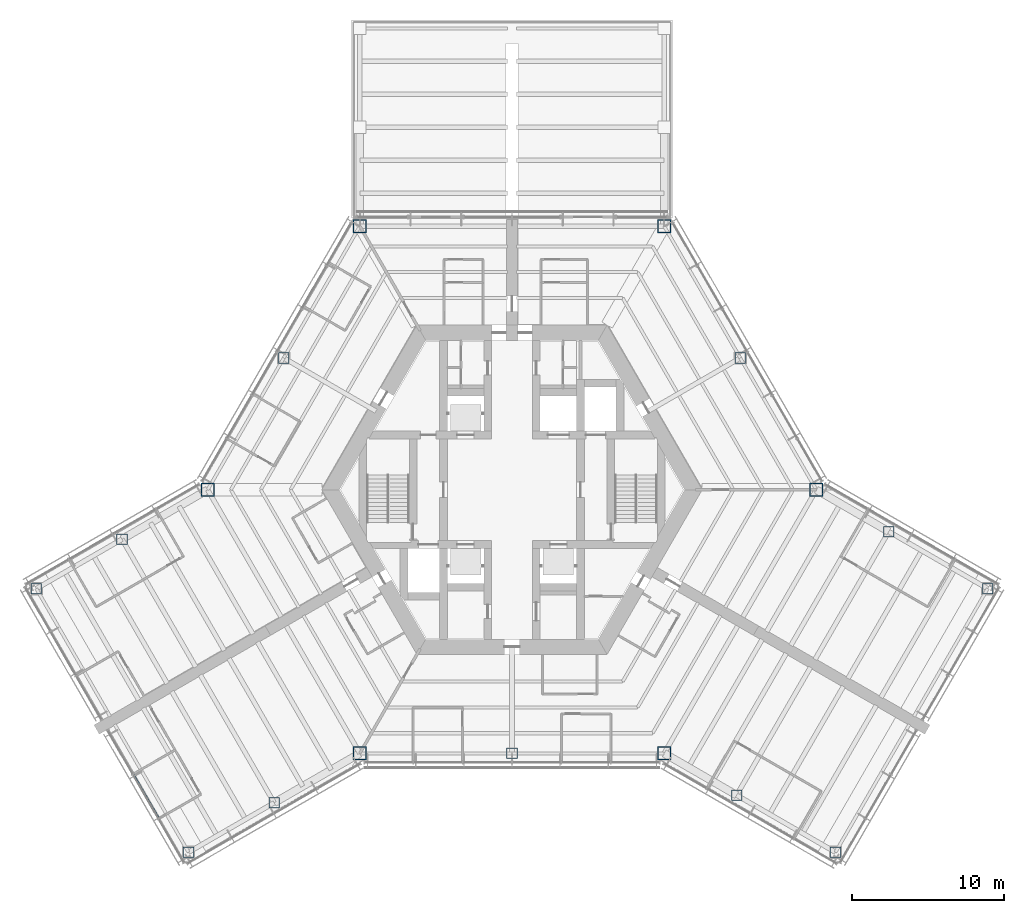
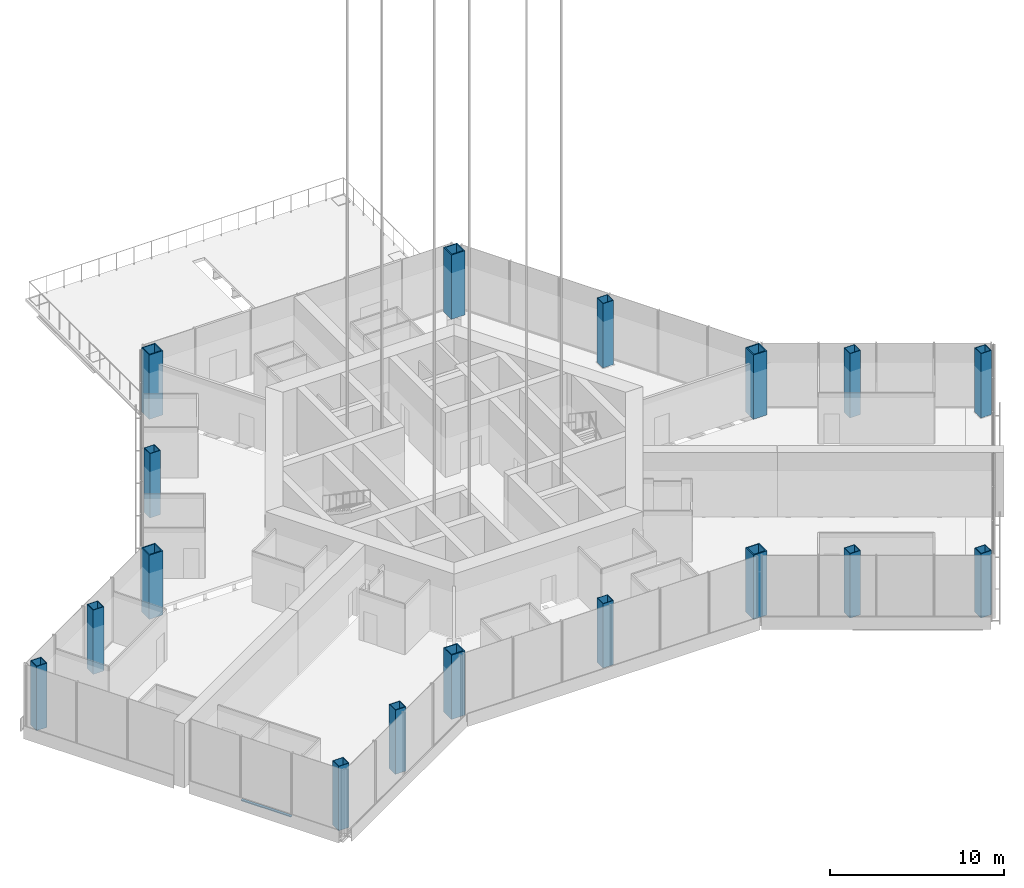
# One storey, part 1 of 18: 17 columns, 1 member, 1 element without a shape of its own.
"""IFC4 building model written with IfcOpenShell, lengths in metres."""

from ifc_helpers import new_model, si_unit, direction, frame, origin, origin_2d, place, context, subcontext, project, spatial, rectangle, hollow_rectangle, extrude, material, material_profile, profile_set, type_object, element, aggregate, save


model = new_model("IFC4")

# Units and contexts
model_context = context("Model", 3, precision=1e-05, world=origin(), true_north=direction((0.0, 1.0)))
body_context = subcontext(model_context, "Body", "Model", "MODEL_VIEW")
ifc_project = project(units=[si_unit("LENGTHUNIT", "METRE"), si_unit("AREAUNIT", "SQUARE_METRE"), si_unit("VOLUMEUNIT", "CUBIC_METRE"), si_unit("PLANEANGLEUNIT", "RADIAN"), si_unit("MASSUNIT", "GRAM", prefix="KILO")], contexts=[model_context])

# Site, building, storey
site_placement = place(None, origin())
site = spatial("IfcSite", under=ifc_project, at=site_placement, CompositionType="ELEMENT")
building_placement = place(site_placement, origin())
building = spatial("IfcBuilding", under=site, at=building_placement, Name="Kasaneha Research Tower", CompositionType="ELEMENT")
storey_placement = place(building_placement, frame((0.0, 0.0, 128.60009765625)))
storey = spatial("IfcBuildingStorey", under=building, at=storey_placement, Name="L32", CompositionType="ELEMENT", Elevation=128.60009765625)

# Columns
ifc_material_1 = material(Name="Steel SN490C", Category="steel")
ifc_material_profile_1 = material_profile(ifc_material_1, hollow_rectangle(XDim=0.699951171875, YDim=0.699951171875, WallThickness=0.035888671875, at=origin_2d()), Name="BOX-700x700x36")
ifc_profile_set_1 = profile_set([ifc_material_profile_1], Name="Steel SN490C")
column_type_1 = type_object("IfcColumnType", Name="C3B column BOX-700x700x36", PredefinedType="COLUMN", material=ifc_profile_set_1)
for number, where, z_axis, x_axis, name in (
    (1, (15.0, 8.66015625, 0.0), (0.0, 0.0, 1.0), (1.0, 0.0, 0.0), "Column M030 L32"),
    (2, (-15.0, 8.66015625, 0.0), (0.0, 0.0, 1.0), (1.0, 0.0, 0.0), "Column M150 L32"),
    (3, (0.0, -17.320556640625, 0.0), (0.0, 0.0, 1.0), (1.0, 0.0, 0.0), "Column M270 L32"),
    (4, (-25.629150390625, -3.25, 0.0), (0.0, 0.0, 1.0), (1.0, 0.0, 0.0), "Column BSP L32"),
    (5, (-31.25830078125, -6.5, 0.0), (0.0, 0.0, 1.0), (1.0, 0.0, 0.0), "Column BTP L32"),
    (6, (-15.629150390625, -20.570556640625, 0.0), (0.0, 0.0, 1.0), (1.0, 0.0, 0.0), "Column BSN L32"),
    (7, (-21.25830078125, -23.820556640625, 0.0), (0.0, 0.0, 1.0), (1.0, 0.0, 0.0), "Column BTN L32"),
    (8, (14.76318359375, -20.070556640625, 0.0), (0.0, 0.0, 1.0), (1.0, 0.0, 0.0), "Column CSP L32"),
    (9, (21.25830078125, -23.820556640625, 0.0), (0.0, 0.0, 1.0), (1.0, 0.0, 0.0), "Column CTP L32"),
    (10, (24.76318359375, -2.75, 0.0), (0.0, 0.0, 1.0), (1.0, 0.0, 0.0), "Column CSN L32"),
    (11, (31.25830078125, -6.5, 0.0), (0.0, 0.0, 1.0), (1.0, 0.0, 0.0), "Column CTN L32"),
):
    element("IfcColumn", number, at=place(storey_placement, frame(where, z_axis=z_axis, x_axis=x_axis)), inside=storey, type_object=column_type_1, Name=name, PredefinedType="COLUMN", context=body_context, shape_type="SweptSolid", body=[
        extrude(hollow_rectangle(XDim=0.699951171875, YDim=0.699951171875, WallThickness=0.035888671875, at=origin_2d()), origin(), (0.0, 0.0, 1.0), 4.5),
    ])
ifc_material_2 = material(Name="Steel SN490C", Category="steel")
ifc_material_profile_2 = material_profile(ifc_material_2, hollow_rectangle(XDim=0.89990234375, YDim=0.89990234375, WallThickness=0.070068359375, at=origin_2d()), Name="BOX-900x900x70")
ifc_profile_set_2 = profile_set([ifc_material_profile_2], Name="Steel SN490C")
column_type_2 = type_object("IfcColumnType", Name="CT1 column BOX-900x900x70", PredefinedType="COLUMN", material=ifc_profile_set_2)
for number, where, z_axis, x_axis, name in (
    (12, (20.0, 0.0, 0.0), (0.0, 0.0, 1.0), (1.0, 0.0, 0.0), "Column V0 L32"),
    (13, (10.0, 17.320556640625, 0.0), (0.0, 0.0, 1.0), (1.0, 0.0, 0.0), "Column V1 L32"),
    (14, (-10.0, 17.320556640625, 0.0), (0.0, 0.0, 1.0), (1.0, 0.0, 0.0), "Column V2 L32"),
    (15, (-20.0, 0.0, 0.0), (0.0, 0.0, 1.0), (1.0, 0.0, 0.0), "Column V3 L32"),
    (16, (-10.0, -17.320556640625, 0.0), (0.0, 0.0, 1.0), (1.0, 0.0, 0.0), "Column V4 L32"),
    (17, (10.0, -17.320556640625, 0.0), (0.0, 0.0, 1.0), (1.0, 0.0, 0.0), "Column V5 L32"),
):
    element("IfcColumn", number, at=place(storey_placement, frame(where, z_axis=z_axis, x_axis=x_axis)), inside=storey, type_object=column_type_2, Name=name, PredefinedType="COLUMN", context=body_context, shape_type="SweptSolid", body=[
        extrude(hollow_rectangle(XDim=0.89990234375, YDim=0.89990234375, WallThickness=0.070068359375, at=origin_2d()), origin(), (0.0, 0.0, 1.0), 4.5),
    ])

# Curtain wall, member
ifc_material_3 = material(Name="Glass and aluminium", Category="aluminium")
curtain_wall_type = type_object("IfcCurtainWallType", Name="Sky lobby curtain wall", PredefinedType="USERDEFINED", material=ifc_material_3)
curtain_wall_placement = place(storey_placement, origin())
curtain_wall = element("IfcCurtainWall", 18, at=curtain_wall_placement, inside=storey, type_object=curtain_wall_type, Name="CW-S L32 run 11a", ObjectType="UNITISED CURTAIN WALL", PredefinedType="USERDEFINED")
ifc_material_4 = material(Name="Aluminium 6063-T6", Category="aluminium")
ifc_material_profile_3 = material_profile(ifc_material_4, rectangle(XDim=0.159912109375, YDim=0.070068359375, at=origin_2d()), Name="CW-S transom 160x70")
ifc_profile_set_3 = profile_set([ifc_material_profile_3], Name="Aluminium 6063-T6")
member_type = type_object("IfcMemberType", Name="CW-S transom", PredefinedType="USERDEFINED", material=ifc_profile_set_3)
member_placement = place(storey_placement, frame((-24.893798828125, -18.7236328125, 0.034912109375), z_axis=(0.499990325971, -0.866030989016, 0.0), x_axis=(0.866030989016, 0.499990325971, 0.0)))
member = element("IfcMember", 19, at=member_placement, type_object=member_type, Name="CW-S transom 2", ObjectType="TRANSOM", PredefinedType="USERDEFINED", context=body_context, shape_type="SweptSolid", body=[
    extrude(rectangle(XDim=0.159912109375, YDim=0.070068359375, at=origin_2d()), origin(), (0.0, 0.0, 1.0), 3.3134765625),
])
aggregate(curtain_wall, [member])

save(model, "model.ifc")
